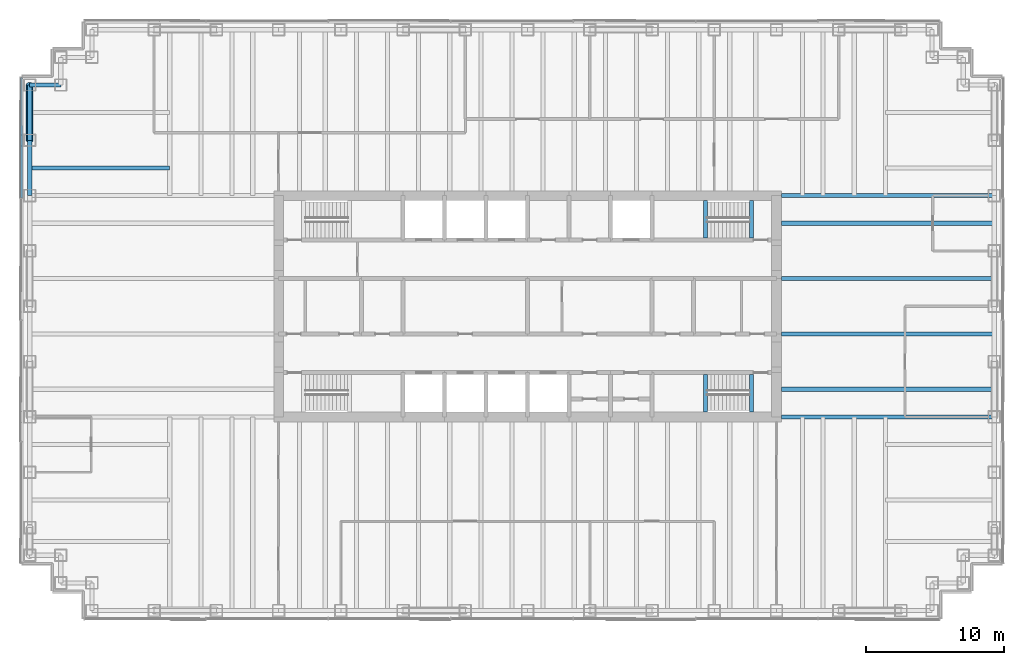
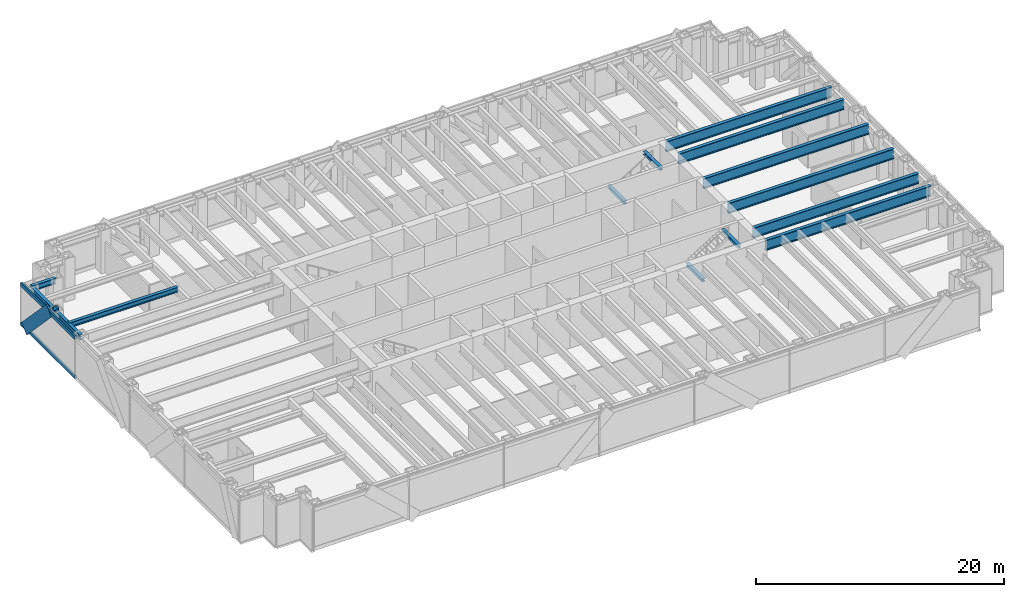
# One storey, part 5 of 15: 14 beams, 4 members, 1 element without a shape of its own.
"""IFC4 building model written with IfcOpenShell, lengths in metres."""

from ifc_helpers import new_model, si_unit, direction, frame, origin, origin_2d, place, context, subcontext, project, spatial, rectangle, hollow_circle, i_section, extrude, material, material_profile, profile_set, type_object, element, aggregate, save


model = new_model("IFC4")

# Units and contexts
model_context = context("Model", 3, precision=1e-05, world=origin(), true_north=direction((0.0, 1.0)))
body_context = subcontext(model_context, "Body", "Model", "MODEL_VIEW")
ifc_project = project(units=[si_unit("LENGTHUNIT", "METRE"), si_unit("AREAUNIT", "SQUARE_METRE"), si_unit("VOLUMEUNIT", "CUBIC_METRE"), si_unit("PLANEANGLEUNIT", "RADIAN"), si_unit("MASSUNIT", "GRAM", prefix="KILO")], contexts=[model_context])

# Site, building, storey
site_placement = place(None, origin())
site = spatial("IfcSite", under=ifc_project, at=site_placement, CompositionType="ELEMENT")
building_placement = place(site_placement, origin())
building = spatial("IfcBuilding", under=site, at=building_placement, Name="Rheinbord Bourse Tower", CompositionType="ELEMENT")
storey_placement = place(building_placement, frame((0.0, 0.0, 296.300048828125)))
storey = spatial("IfcBuildingStorey", under=building, at=storey_placement, Name="L67", CompositionType="ELEMENT", Elevation=296.300048828125)

# Curtain wall, members
ifc_material_1 = material(Name="Dark glass and black aluminium", Category="aluminium")
curtain_wall_type = type_object("IfcCurtainWallType", Name="CW3 DARK GLASS CURTAIN WALL", PredefinedType="USERDEFINED", material=ifc_material_1)
curtain_wall_placement = place(storey_placement, origin())
curtain_wall = element("IfcCurtainWall", 1, at=curtain_wall_placement, inside=storey, type_object=curtain_wall_type, Name="Curtain wall CW3 W L67", ObjectType="UNITISED CURTAIN WALL", PredefinedType="USERDEFINED")
ifc_material_2 = material(Name="Black anodised aluminium", Category="aluminium")
ifc_material_profile_1 = material_profile(ifc_material_2, rectangle(XDim=0.14990234375, YDim=1.10791015625, at=origin_2d()), Name="CW3 DIAGONAL MULLION 1108x150")
ifc_profile_set_1 = profile_set([ifc_material_profile_1], Name="Black anodised aluminium")
member_type_1 = type_object("IfcMemberType", Name="CW3 BLACK DIAGONAL MULLION", PredefinedType="USERDEFINED", material=ifc_profile_set_1)
member_1_placement = place(storey_placement, frame((-0.60009765625, 40.0, 0.0), z_axis=(0.0, -0.689659376744, 0.724133926887), x_axis=(1.0, 0.0, 0.0)))
member_1 = element("IfcMember", 2, at=member_1_placement, type_object=member_type_1, Name="CW3 diagonal mullion d", ObjectType="DIAGONAL MULLION", PredefinedType="USERDEFINED", context=body_context, shape_type="SweptSolid", body=[
    extrude(rectangle(XDim=0.14990234375, YDim=1.10791015625, at=origin_2d()), origin(), (0.0, 0.0, 1.0), 5.800048828125),
])
ifc_material_3 = material(Name="Black anodised aluminium", Category="aluminium")
ifc_material_profile_2 = material_profile(ifc_material_3, rectangle(XDim=0.14990234375, YDim=0.35009765625, at=origin_2d()), Name="CW3 TRANSOM 350x150")
ifc_profile_set_2 = profile_set([ifc_material_profile_2], Name="Black anodised aluminium")
member_type_2 = type_object("IfcMemberType", Name="CW3 BLACK TRANSOM", PredefinedType="USERDEFINED", material=ifc_profile_set_2)
member_2_placement = place(storey_placement, frame((-0.60009765625, 40.534912109375, 0.175048828125), z_axis=(0.0, -1.0, 0.0), x_axis=(1.0, 0.0, 0.0)))
member_2 = element("IfcMember", 3, at=member_2_placement, type_object=member_type_2, Name="CW3 transom 1.1", ObjectType="TRANSOM", PredefinedType="USERDEFINED", context=body_context, shape_type="SweptSolid", body=[
    extrude(rectangle(XDim=0.14990234375, YDim=0.35009765625, at=origin_2d()), origin(), (0.0, 0.0, 1.0), 8.702392578125),
])
member_3_placement = place(storey_placement, frame((-0.60009765625, 40.534912109375, 4.02490234375), z_axis=(0.0, -1.0, 0.0), x_axis=(1.0, 0.0, 0.0)))
member_3 = element("IfcMember", 4, at=member_3_placement, type_object=member_type_2, Name="CW3 transom 1.2", ObjectType="TRANSOM", PredefinedType="USERDEFINED", context=body_context, shape_type="SweptSolid", body=[
    extrude(rectangle(XDim=0.14990234375, YDim=0.35009765625, at=origin_2d()), origin(), (0.0, 0.0, 1.0), 8.702392578125),
])
aggregate(curtain_wall, [member_2, member_3, member_1])

# Beams
ifc_material_4 = material(Name="Steel S460", Category="steel")
ifc_material_profile_3 = material_profile(ifc_material_4, i_section(OverallWidth=0.302001953125, OverallDepth=1.008056640625, WebThickness=0.02099609375, FlangeThickness=0.0400390625, at=origin_2d()), Name="HEM 1000")
ifc_profile_set_3 = profile_set([ifc_material_profile_3], Name="Steel S460")
beam_type_1 = type_object("IfcBeamType", Name="END BEAM HEM 1000", PredefinedType="BEAM", material=ifc_profile_set_3)
for number, where, z_axis, x_axis, name in (
    (5, (54.35009765625, 18.0, 3.535888671875), (1.0, 0.0, 0.0), (0.0, 1.0, 0.0), "End beam east 18 L68"),
    (6, (54.35009765625, 22.0, 3.535888671875), (1.0, 0.0, 0.0), (0.0, 1.0, 0.0), "End beam east 22 L68"),
    (7, (54.35009765625, 26.0, 3.535888671875), (1.0, 0.0, 0.0), (0.0, 1.0, 0.0), "End beam east 26 L68"),
    (8, (54.35009765625, 30.0, 3.535888671875), (1.0, 0.0, 0.0), (0.0, 1.0, 0.0), "End beam east 30 L68"),
):
    element("IfcBeam", number, at=place(storey_placement, frame(where, z_axis=z_axis, x_axis=x_axis)), inside=storey, type_object=beam_type_1, Name=name, PredefinedType="BEAM", context=body_context, shape_type="SweptSolid", body=[
        extrude(i_section(OverallWidth=0.302001953125, OverallDepth=1.008056640625, WebThickness=0.02099609375, FlangeThickness=0.0400390625, at=origin_2d()), origin(), (0.0, 0.0, 1.0), 15.39990234375),
    ])
ifc_material_5 = material(Name="Steel S460", Category="steel")
ifc_material_profile_4 = material_profile(ifc_material_5, i_section(OverallWidth=0.302001953125, OverallDepth=1.008056640625, WebThickness=0.02099609375, FlangeThickness=0.0400390625, at=origin_2d()), Name="HEM 1000")
ifc_profile_set_4 = profile_set([ifc_material_profile_4], Name="Steel S460")
beam_type_2 = type_object("IfcBeamType", Name="GIRDER HEM 1000", PredefinedType="BEAM", material=ifc_profile_set_4)
for number, where, z_axis, x_axis, name in (
    (9, (54.35009765625, 16.0, 3.535888671875), (1.0, 0.0, 0.0), (0.0, 1.0, 0.0), "Girder east 16 L68"),
    (10, (54.35009765625, 32.0, 3.535888671875), (1.0, 0.0, 0.0), (0.0, 1.0, 0.0), "Girder east 32 L68"),
):
    element("IfcBeam", number, at=place(storey_placement, frame(where, z_axis=z_axis, x_axis=x_axis)), inside=storey, type_object=beam_type_2, Name=name, PredefinedType="BEAM", context=body_context, shape_type="SweptSolid", body=[
        extrude(i_section(OverallWidth=0.302001953125, OverallDepth=1.008056640625, WebThickness=0.02099609375, FlangeThickness=0.0400390625, at=origin_2d()), origin(), (0.0, 0.0, 1.0), 15.39990234375),
    ])
ifc_material_6 = material(Name="Steel S460", Category="steel")
ifc_material_profile_5 = material_profile(ifc_material_6, i_section(OverallWidth=0.300048828125, OverallDepth=0.300048828125, WebThickness=0.010986328125, FlangeThickness=0.01904296875, at=origin_2d()), Name="HEB 300")
ifc_profile_set_5 = profile_set([ifc_material_profile_5], Name="Steel S460")
beam_type_3 = type_object("IfcBeamType", Name="LANDING TRIMMER HEB 300", PredefinedType="BEAM", material=ifc_profile_set_5)
for number, where, z_axis, x_axis, name in (
    (11, (48.8701171875, 16.35009765625, 1.75), (0.0, 1.0, 0.0), (-1.0, 0.0, 0.0), "Landing trimmer ST3 L67"),
    (12, (52.199951171875, 16.35009765625, 3.889892578125), (0.0, 1.0, 0.0), (-1.0, 0.0, 0.0), "Well trimmer ST3 under L68"),
    (13, (48.8701171875, 28.949951171875, 1.75), (0.0, 1.0, 0.0), (-1.0, 0.0, 0.0), "Landing trimmer ST4 L67"),
    (14, (52.199951171875, 28.949951171875, 3.889892578125), (0.0, 1.0, 0.0), (-1.0, 0.0, 0.0), "Well trimmer ST4 under L68"),
):
    element("IfcBeam", number, at=place(storey_placement, frame(where, z_axis=z_axis, x_axis=x_axis)), inside=storey, type_object=beam_type_3, Name=name, PredefinedType="BEAM", context=body_context, shape_type="SweptSolid", body=[
        extrude(i_section(OverallWidth=0.300048828125, OverallDepth=0.300048828125, WebThickness=0.010986328125, FlangeThickness=0.01904296875, at=origin_2d()), origin(), (0.0, 0.0, 1.0), 2.699951171875),
    ])

# Member
ifc_material_7 = material(Name="Steel S460", Category="steel")
ifc_material_profile_6 = material_profile(ifc_material_7, hollow_circle(Radius=0.25390625, WallThickness=0.030029296875, at=origin_2d()), Name="CHS 508x30")
ifc_profile_set_6 = profile_set([ifc_material_profile_6], Name="Steel S460")
member_type_3 = type_object("IfcMemberType", Name="MEGABRACE CHS 508x30", PredefinedType="BRACE", material=ifc_profile_set_6)
member_4_placement = place(storey_placement, frame((0.0, 40.0, 0.0), z_axis=(0.0, -0.689659376744, 0.724133926887), x_axis=(1.0, 0.0, 0.0)))
element("IfcMember", 15, at=member_4_placement, inside=storey, type_object=member_type_3, Name="Megabrace W face line d L67", PredefinedType="BRACE", context=body_context, shape_type="SweptSolid", body=[
    extrude(hollow_circle(Radius=0.25390625, WallThickness=0.030029296875, at=origin_2d()), origin(), (0.0, 0.0, 1.0), 5.800048828125),
])

# Beams
ifc_material_8 = material(Name="Steel S460", Category="steel")
ifc_material_profile_7 = material_profile(ifc_material_8, i_section(OverallWidth=0.300048828125, OverallDepth=0.550048828125, WebThickness=0.014892578125, FlangeThickness=0.029052734375, at=origin_2d()), Name="HEB 550")
ifc_profile_set_7 = profile_set([ifc_material_profile_7], Name="Steel S460")
beam_type_4 = type_object("IfcBeamType", Name="SPANDREL HEB 550", PredefinedType="SPANDREL", material=ifc_profile_set_7)
beam_1_placement = place(storey_placement, frame((2.25, 40.0, 3.764892578125), z_axis=(-1.0, 0.0, 0.0), x_axis=(0.0, -1.0, 0.0)))
element("IfcBeam", 16, at=beam_1_placement, inside=storey, type_object=beam_type_4, Name="Spandrel NW-B-NW-A under L68", PredefinedType="SPANDREL", context=body_context, shape_type="SweptSolid", body=[
    extrude(i_section(OverallWidth=0.300048828125, OverallDepth=0.550048828125, WebThickness=0.014892578125, FlangeThickness=0.029052734375, at=origin_2d()), origin(), (0.0, 0.0, 1.0), 2.25),
])
for number, where, z_axis, x_axis, name in (
    (17, (0.0, 40.0, 3.764892578125), (0.0, -1.0, 0.0), (1.0, 0.0, 0.0), "Spandrel NW-A-W-36 under L68"),
    (18, (0.0, 36.0, 3.764892578125), (0.0, -1.0, 0.0), (1.0, 0.0, 0.0), "Spandrel W-36-W-32 under L68"),
):
    element("IfcBeam", number, at=place(storey_placement, frame(where, z_axis=z_axis, x_axis=x_axis)), inside=storey, type_object=beam_type_4, Name=name, PredefinedType="SPANDREL", context=body_context, shape_type="SweptSolid", body=[
        extrude(i_section(OverallWidth=0.300048828125, OverallDepth=0.550048828125, WebThickness=0.014892578125, FlangeThickness=0.029052734375, at=origin_2d()), origin(), (0.0, 0.0, 1.0), 4.0),
    ])
ifc_material_9 = material(Name="Steel S460", Category="steel")
ifc_material_profile_8 = material_profile(ifc_material_9, i_section(OverallWidth=0.300048828125, OverallDepth=0.5, WebThickness=0.014404296875, FlangeThickness=0.028076171875, at=origin_2d()), Name="HEB 500")
ifc_profile_set_8 = profile_set([ifc_material_profile_8], Name="Steel S460")
beam_type_5 = type_object("IfcBeamType", Name="TIE BEAM HEB 500", PredefinedType="JOIST", material=ifc_profile_set_8)
beam_2_placement = place(storey_placement, frame((0.0, 34.0, 3.7900390625), z_axis=(1.0, 0.0, 0.0), x_axis=(0.0, 1.0, 0.0)))
element("IfcBeam", 19, at=beam_2_placement, inside=storey, type_object=beam_type_5, Name="Tie west 34 L68", PredefinedType="JOIST", context=body_context, shape_type="SweptSolid", body=[
    extrude(i_section(OverallWidth=0.300048828125, OverallDepth=0.5, WebThickness=0.014404296875, FlangeThickness=0.028076171875, at=origin_2d()), origin(), (0.0, 0.0, 1.0), 10.125),
])

save(model, "model.ifc")
